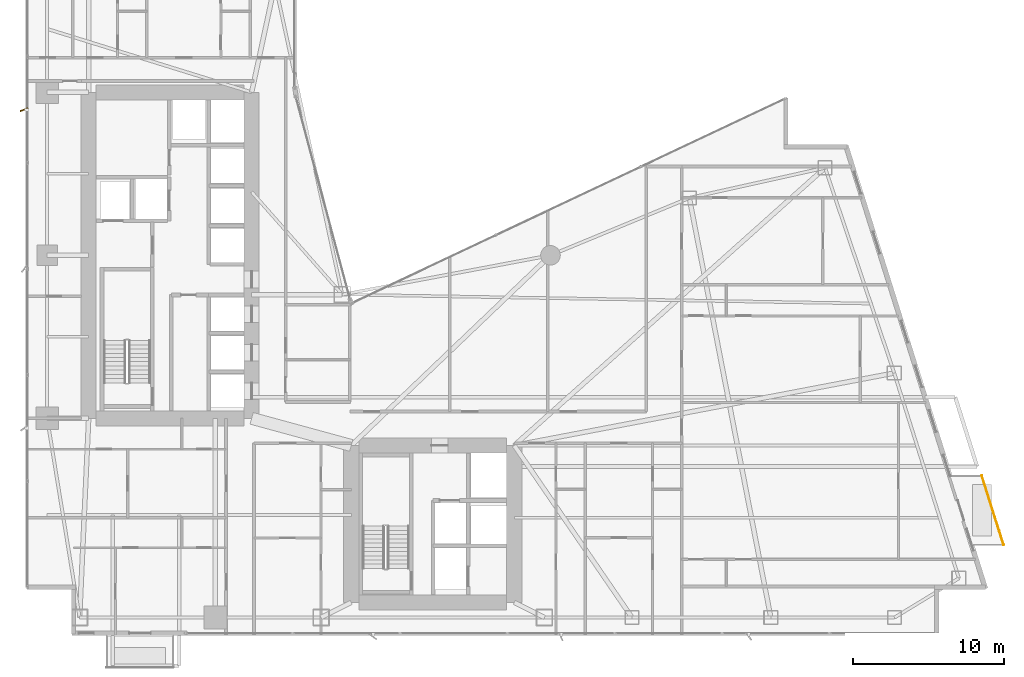
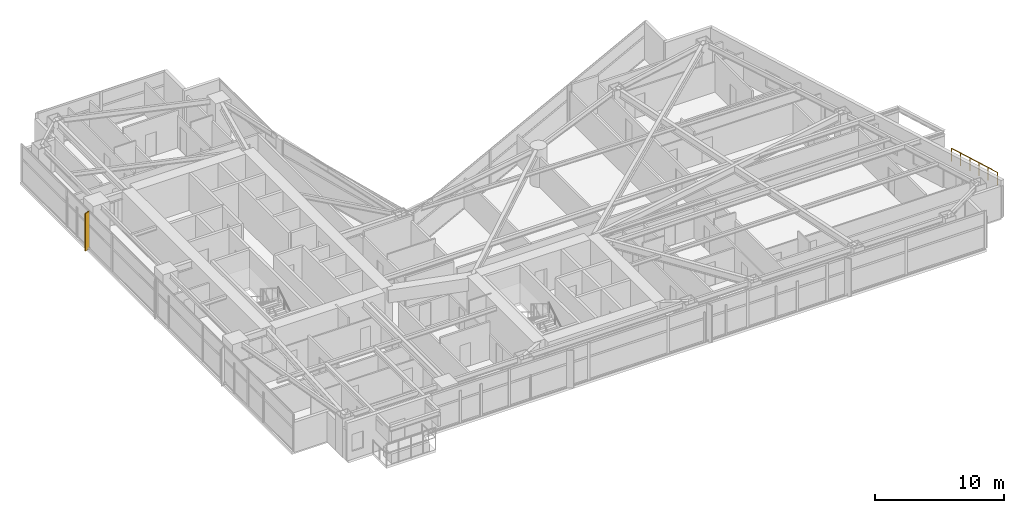
# One storey, part 30 of 30: 1 railing, 1 shading device.
"""IFC4 building model written with IfcOpenShell, lengths in metres."""

from ifc_helpers import new_model, si_unit, direction, frame, origin, origin_2d, place, context, subcontext, project, spatial, rectangle, circle, extrude, material, type_object, element, save


model = new_model("IFC4")

# Units and contexts
model_context = context("Model", 3, precision=1e-05, world=origin(), true_north=direction((0.0, 1.0)))
body_context = subcontext(model_context, "Body", "Model", "MODEL_VIEW")
ifc_project = project(units=[si_unit("LENGTHUNIT", "METRE"), si_unit("AREAUNIT", "SQUARE_METRE"), si_unit("VOLUMEUNIT", "CUBIC_METRE"), si_unit("PLANEANGLEUNIT", "RADIAN"), si_unit("MASSUNIT", "GRAM", prefix="KILO")], contexts=[model_context])

# Site, building, storey
site_placement = place(None, origin())
site = spatial("IfcSite", under=ifc_project, at=site_placement, CompositionType="ELEMENT")
building_placement = place(site_placement, origin())
building = spatial("IfcBuilding", under=site, at=building_placement, Name="Calvorn Quay Hotel", CompositionType="ELEMENT")
storey_placement = place(building_placement, frame((0.0, 0.0, 77.39990234375)))
storey = spatial("IfcBuildingStorey", under=building, at=storey_placement, Name="L18", CompositionType="ELEMENT", Elevation=77.39990234375)

# Railing
ifc_material_1 = material(Name="Pale Anodised Aluminium and Laminated Glass", Category="aluminium")
railing_type = type_object("IfcRailingType", Name="RLG-BALUSTRADE-1200", PredefinedType="BALUSTRADE", material=ifc_material_1)
railing_placement = place(storey_placement, frame((64.827880859375, 8.39990234375, 0.900146484375)))
element("IfcRailing", 1, at=railing_placement, inside=storey, type_object=railing_type, Name="Planter Kerb High Safety Screen L18-BALC-E", PredefinedType="BALUSTRADE", context=body_context, shape_type="SweptSolid", body=[
    extrude(circle(Radius=0.02392578125, at=origin_2d()), frame((0.0, 0.0, 1.19580078125), z_axis=(-0.300620172346, 0.953743944662, 0.0), x_axis=(-0.953743944662, -0.300620172346, 0.0)), (0.0, 0.0, 1.0), 4.8232421875),
    extrude(circle(Radius=0.02099609375, at=origin_2d()), origin(), (0.0, 0.0, 1.0), 1.171875),
    extrude(circle(Radius=0.02099609375, at=origin_2d()), frame((-0.2900390625, 0.919921875, 0.0)), (0.0, 0.0, 1.0), 1.171875),
    extrude(circle(Radius=0.02099609375, at=origin_2d()), frame((-0.580078125, 1.840087890625, 0.0)), (0.0, 0.0, 1.0), 1.171875),
    extrude(circle(Radius=0.02099609375, at=origin_2d()), frame((-0.869873046875, 2.760009765625, 0.0)), (0.0, 0.0, 1.0), 1.171875),
    extrude(circle(Radius=0.02099609375, at=origin_2d()), frame((-1.159912109375, 3.68017578125, 0.0)), (0.0, 0.0, 1.0), 1.171875),
    extrude(circle(Radius=0.02099609375, at=origin_2d()), frame((-1.449951171875, 4.60009765625, 0.0)), (0.0, 0.0, 1.0), 1.171875),
])

# Shading device
ifc_material_2 = material(Name="Champagne Bronze Anodised Aluminium 6063-T6", Category="aluminium")
shading_device_type = type_object("IfcShadingDeviceType", Name="SHD-FIN-A1", PredefinedType="USERDEFINED", material=ifc_material_2)
shading_device_placement = place(storey_placement, frame((-0.080078125, 37.25, 0.0), z_axis=(0.0, 0.0, 1.0), x_axis=(0.927183854567, 0.374606593416, 0.0)))
element("IfcShadingDevice", 2, at=shading_device_placement, inside=storey, type_object=shading_device_type, Name="Diagonal Sun-Shading Fin L18-W03", ObjectType="FIN", PredefinedType="USERDEFINED", context=body_context, shape_type="SweptSolid", body=[
    extrude(rectangle(XDim=0.550048828125, YDim=0.080078125, at=origin_2d()), origin(), (0.0, 0.0, 1.0), 3.56005859375),
])

save(model, "model.ifc")
